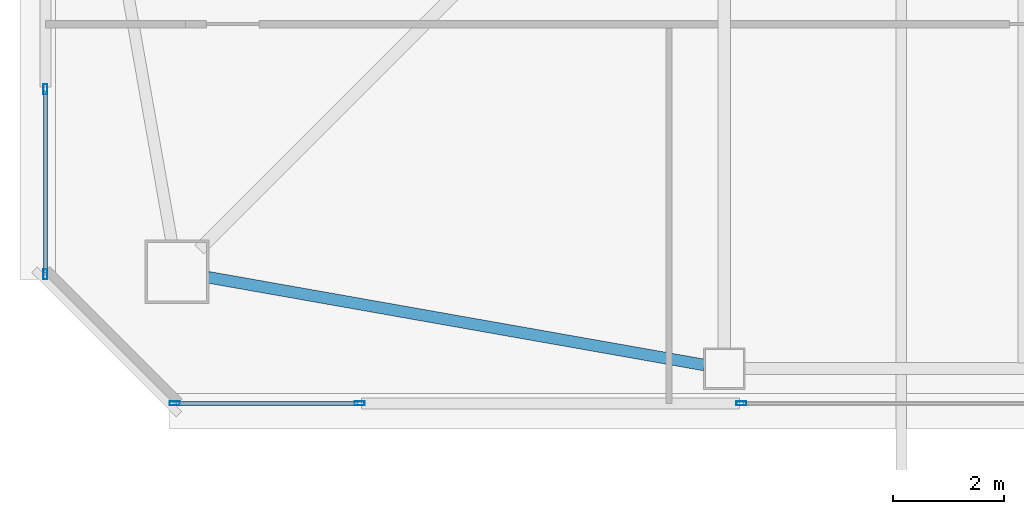
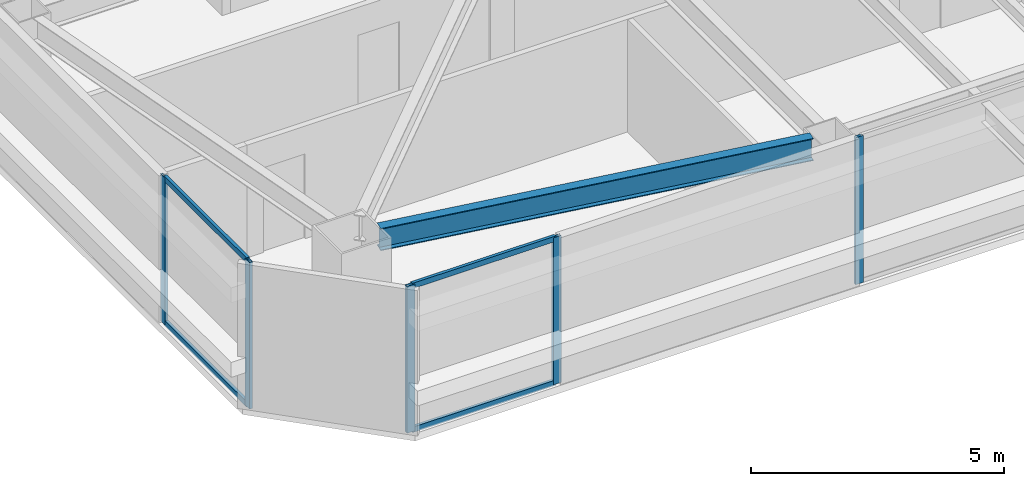
# One storey, part 3 of 41: 9 members, 1 beam, 3 elements without a shape of their own.
"""IFC4 building model written with IfcOpenShell, lengths in metres."""

import ifcopenshell
import ifcopenshell.guid

model = None  # the IFC model being written
_history = None  # IfcOwnerHistory: only IFC2X3 demands one
_inside = {}  # id of a spatial element -> (the spatial element, [elements in it])
_under = {}  # id of a project, library or spatial element -> (it, [spatial elements below it])
_declared = {}  # id of a project -> (the project, [libraries it declares])
_typed = {}  # id of a type object -> (the type object, [elements of that type])
_made_of = {}  # id of a material, layer set ... -> (it, [elements and type objects made of it])


def new_model(schema):
    """Start an empty IFC model of exactly this schema.

    Asked for "IFC4X3", IfcOpenShell would pick the latest addendum, in which some entities
    have other attributes; the version numbers below select the first issue.
    IFC2X3 requires an IfcOwnerHistory on every rooted entity: one is made here for all.
    """
    global model, _history
    if schema == "IFC4X3":
        model = ifcopenshell.file(schema_version=(4, 3, 0, 0))
    else:
        model = ifcopenshell.file(schema=schema)
    _inside.clear()
    _under.clear()
    _declared.clear()
    _typed.clear()
    _made_of.clear()
    _history = None
    if model.schema == "IFC2X3":
        org = make("IfcOrganization", Name="unknown")
        user = make(
            "IfcPersonAndOrganization",
            ThePerson=make("IfcPerson", FamilyName="unknown"),
            TheOrganization=org,
        )
        app = make(
            "IfcApplication",
            ApplicationDeveloper=org,
            Version="unknown",
            ApplicationFullName="unknown",
            ApplicationIdentifier="unknown",
        )
        _history = make(
            "IfcOwnerHistory",
            OwningUser=user,
            OwningApplication=app,
            ChangeAction="ADDED",
            CreationDate=0,
        )
    return model


def make(cls, **values):
    """One entity of the class cls with the attributes given. An attribute that is None is left unset."""
    return model.create_entity(
        cls, **{name: value for name, value in values.items() if value is not None}
    )


def rooted(cls, **values):
    """An entity with a GlobalId (a new one), such as an element, a storey or a relation."""
    return make(cls, GlobalId=ifcopenshell.guid.new(), OwnerHistory=_history, **values)


def si_unit(unit_type, name, prefix=None):
    """IfcSIUnit, for example si_unit("LENGTHUNIT", "METRE", prefix="MILLI")."""
    return make("IfcSIUnit", UnitType=unit_type, Prefix=prefix, Name=name)


def assignment(units):
    """IfcUnitAssignment: the units of a project."""
    return None if units is None else make("IfcUnitAssignment", Units=units)


def point(xyz):
    """IfcCartesianPoint."""
    return None if xyz is None else make("IfcCartesianPoint", Coordinates=xyz)


def direction(xyz):
    """IfcDirection."""
    return None if xyz is None else make("IfcDirection", DirectionRatios=xyz)


def frame(location, z_axis=None, x_axis=None):
    """IfcAxis2Placement3D, a coordinate frame: its origin and axes. An axis left out is left unset."""
    return make(
        "IfcAxis2Placement3D",
        Location=point(location),
        Axis=direction(z_axis),
        RefDirection=direction(x_axis),
    )


def frame_2d(location, x_axis=None):
    """IfcAxis2Placement2D, a coordinate frame in the plane: its origin and x axis."""
    return make(
        "IfcAxis2Placement2D", Location=point(location), RefDirection=direction(x_axis)
    )


def origin():
    """The frame at (0, 0, 0) with its axes left unset."""
    return frame((0.0, 0.0, 0.0))


def origin_2d():
    """The frame at (0, 0) in the plane with its x axis left unset."""
    return frame_2d((0.0, 0.0))


def place(relative_to, where):
    """IfcLocalPlacement: puts the frame where relative to a parent placement (None: the world)."""
    return make(
        "IfcLocalPlacement", PlacementRelTo=relative_to, RelativePlacement=where
    )


def context(
    kind, dimensions, precision=None, world=None, true_north=None, identifier=None
):
    """IfcGeometricRepresentationContext, for example the 3D "Model" context."""
    return make(
        "IfcGeometricRepresentationContext",
        ContextIdentifier=identifier,
        ContextType=kind,
        CoordinateSpaceDimension=dimensions,
        Precision=precision,
        WorldCoordinateSystem=world,
        TrueNorth=true_north,
    )


def subcontext(parent, identifier, kind, view, scale=None):
    """IfcGeometricRepresentationSubContext, for example "Body" below "Model"."""
    return make(
        "IfcGeometricRepresentationSubContext",
        ContextIdentifier=identifier,
        ContextType=kind,
        ParentContext=parent,
        TargetScale=scale,
        TargetView=view,
    )


def project(units=None, contexts=None):
    """IfcProject with its units and contexts."""
    return rooted(
        "IfcProject",
        Name="project",
        RepresentationContexts=contexts,
        UnitsInContext=assignment(units),
    )


def spatial(cls, under=None, at=None, **own):
    """A site, building, storey or space (cls), placed at a placement, below another one or the project."""
    s = rooted(cls, ObjectPlacement=at, **own)
    if under is not None:
        _under.setdefault(under.id(), (under, []))[1].append(s)
    return s


def profile(cls, at=None, kind="AREA", **sizes):
    """A parametric profile (cls). Its sizes go by their IFC names, for example OverallWidth=200.0."""
    return make(cls, ProfileType=kind, Position=at, **sizes)


def hollow_rectangle(**sizes):
    """IfcRectangleHollowProfileDef."""
    return profile("IfcRectangleHollowProfileDef", **sizes)


def i_section(**sizes):
    """IfcIShapeProfileDef."""
    return profile("IfcIShapeProfileDef", **sizes)


def extrude(swept, where, along, depth):
    """IfcExtrudedAreaSolid: the profile swept, set in the frame where, extruded along a direction by depth."""
    return make(
        "IfcExtrudedAreaSolid",
        SweptArea=swept,
        Position=where,
        ExtrudedDirection=direction(along),
        Depth=depth,
    )


def shape(context_of_items, identifier, shape_type, items):
    """IfcShapeRepresentation: the items that make up one representation, for example the "Body"."""
    return make(
        "IfcShapeRepresentation",
        ContextOfItems=context_of_items,
        RepresentationIdentifier=identifier,
        RepresentationType=shape_type,
        Items=items,
    )


def material(Name=None, Category=None):
    """IfcMaterial."""
    return make("IfcMaterial", Name=Name, Category=Category)


def material_profile(
    of_material, cross_section, Name=None, Category=None, Priority=None
):
    """IfcMaterialProfile: a cross section and its material."""
    return make(
        "IfcMaterialProfile",
        Name=Name,
        Material=of_material,
        Profile=cross_section,
        Priority=Priority,
        Category=Category,
    )


def profile_set(profiles, Name=None, composite=None):
    """IfcMaterialProfileSet."""
    return make(
        "IfcMaterialProfileSet",
        Name=Name,
        MaterialProfiles=profiles,
        CompositeProfile=composite,
    )


def made_of(thing, what):
    """Note that an element or type object is made of a material, layer set ...; save() writes the relation."""
    if what is not None:
        _made_of.setdefault(what.id(), (what, []))[1].append(thing)
    return thing


def type_object(cls, material=None, **own):
    """A type object (cls), such as IfcWallType, which elements share."""
    return made_of(rooted(cls, **own), material)


def element(
    cls,
    number,
    at=None,
    inside=None,
    cuts=None,
    type_object=None,
    material=None,
    context=None,
    identifier="Body",
    shape_type=None,
    held_by="IfcProductDefinitionShape",
    body=None,
    shapes=None,
    **own,
):
    """One element of the class cls, such as IfcWall. Its Tag is "e" and its number.

    at: its placement. inside: the storey or other place that contains it. cuts: it is an
    opening in that element (IfcRelVoidsElement). A single representation is given by context,
    identifier, shape_type and body (its items); several are given by shapes. held_by: the class
    of the entity that holds the representations. save() writes the other relations.
    """
    e = rooted(cls, Tag="e%d" % number, ObjectPlacement=at, **own)
    if body is not None:
        shapes = [shape(context, identifier, shape_type, body)]
    if shapes is not None:
        e.Representation = make(held_by, Representations=shapes)
    if inside is not None:
        _inside.setdefault(inside.id(), (inside, []))[1].append(e)
    if cuts is not None:
        rooted(
            "IfcRelVoidsElement", RelatingBuildingElement=cuts, RelatedOpeningElement=e
        )
    if type_object is not None:
        _typed.setdefault(type_object.id(), (type_object, []))[1].append(e)
    return made_of(e, material)


def aggregate(whole, parts):
    """IfcRelAggregates: a whole, such as a stair, and the parts it consists of."""
    return rooted("IfcRelAggregates", RelatingObject=whole, RelatedObjects=parts)


def save(model, path):
    """Write the relations noted so far, then the file.

    IfcRelAggregates (storeys below a building ...), IfcRelContainedInSpatialStructure (elements
    in a storey), IfcRelDefinesByType, IfcRelAssociatesMaterial and IfcRelDeclares: one each for
    every whole, place, type object, material and project.
    """
    for whole, parts in _under.values():
        aggregate(whole, parts)
    for where, things in _inside.values():
        rooted(
            "IfcRelContainedInSpatialStructure",
            RelatedElements=things,
            RelatingStructure=where,
        )
    for kind, things in _typed.values():
        rooted("IfcRelDefinesByType", RelatedObjects=things, RelatingType=kind)
    for what, things in _made_of.values():
        rooted("IfcRelAssociatesMaterial", RelatedObjects=things, RelatingMaterial=what)
    for by, libraries in _declared.values():
        rooted("IfcRelDeclares", RelatingContext=by, RelatedDefinitions=libraries)
    model.write(path)


model = new_model("IFC4")

# Units and contexts
model_context = context("Model", 3, precision=1e-05, world=origin(), true_north=direction((0.0, 1.0)))
body_context = subcontext(model_context, "Body", "Model", "MODEL_VIEW")
ifc_project = project(units=[si_unit("LENGTHUNIT", "METRE"), si_unit("AREAUNIT", "SQUARE_METRE"), si_unit("VOLUMEUNIT", "CUBIC_METRE"), si_unit("PLANEANGLEUNIT", "RADIAN"), si_unit("MASSUNIT", "GRAM", prefix="KILO")], contexts=[model_context])

# Site, building, storey
site_placement = place(None, origin())
site = spatial("IfcSite", under=ifc_project, at=site_placement, CompositionType="ELEMENT")
building_placement = place(site_placement, origin())
building = spatial("IfcBuilding", under=site, at=building_placement, Name="Tashvorn Skyway Center", CompositionType="ELEMENT")
storey_placement = place(building_placement, frame((0.0, 0.0, 174.75)))
storey = spatial("IfcBuildingStorey", under=building, at=storey_placement, Name="L47", CompositionType="ELEMENT", Elevation=174.75)

# Beam
ifc_material_1 = material(Name="Steel ASTM A992 Grade 50", Category="steel")
ifc_material_profile_1 = material_profile(ifc_material_1, i_section(OverallWidth=0.2109375, OverallDepth=0.5390625, WebThickness=0.01171875, FlangeThickness=0.018798828125, at=origin_2d()), Name="W21X73")
ifc_profile_set_1 = profile_set([ifc_material_profile_1], Name="Steel ASTM A992 Grade 50")
beam_type = type_object("IfcBeamType", Name="BM-SPANDREL-W21X73", PredefinedType="SPANDREL", material=ifc_profile_set_1)
beam_placement = place(storey_placement, frame((27.26123046875, 16.600830078125, 3.1005859375), z_axis=(0.984732545667, -0.174074160933, 0.0), x_axis=(0.174074160933, 0.984732545667, 0.0)))
element("IfcBeam", 1, at=beam_placement, inside=storey, type_object=beam_type, Name="Tower 1 L47 Spandrel Beam 01", PredefinedType="SPANDREL", context=body_context, shape_type="SweptSolid", body=[
    extrude(i_section(OverallWidth=0.2109375, OverallDepth=0.5390625, WebThickness=0.01171875, FlangeThickness=0.018798828125, at=origin_2d()), origin(), (0.0, 0.0, 1.0), 9.113525390625),
])

# Curtain wall, member
ifc_material_2 = material(Name="Thermally broken bronze-anodized aluminium 6063-T6", Category="aluminium")
curtain_wall_type = type_object("IfcCurtainWallType", Name="CW-CW-Z4", PredefinedType="NOTDEFINED", material=ifc_material_2)
curtain_wall_1_placement = place(storey_placement, origin())
curtain_wall_1 = element("IfcCurtainWall", 2, at=curtain_wall_1_placement, inside=storey, type_object=curtain_wall_type, Name="Tower 1 L47 South Unitised Curtain Wall Glazing Group 2", PredefinedType="NOTDEFINED")
ifc_material_profile_2 = material_profile(ifc_material_2, hollow_rectangle(XDim=0.070068359375, YDim=0.179931640625, WallThickness=0.00390625, at=origin_2d()), Name="ALU-MULL-70x180")
ifc_profile_set_2 = profile_set([ifc_material_profile_2], Name="Thermally broken bronze-anodized aluminium 6063-T6")
member_type_1 = type_object("IfcMemberType", Name="CWM-CW-Z4", PredefinedType="MULLION", material=ifc_profile_set_2)
member_1_placement = place(storey_placement, frame((36.908203125, 14.320068359375, 0.0), z_axis=(0.0, 0.0, 1.0), x_axis=(0.0, -1.0, 0.0)))
member_1 = element("IfcMember", 3, at=member_1_placement, type_object=member_type_1, Name="CW-Z4 mullion 2", PredefinedType="MULLION", context=body_context, shape_type="SweptSolid", body=[
    extrude(hollow_rectangle(XDim=0.070068359375, YDim=0.179931640625, WallThickness=0.00390625, at=origin_2d()), origin(), (0.0, 0.0, 1.0), 3.550048828125),
])
aggregate(curtain_wall_1, [member_1])

# Curtain wall, members
curtain_wall_2_placement = place(storey_placement, origin())
curtain_wall_2 = element("IfcCurtainWall", 4, at=curtain_wall_2_placement, inside=storey, type_object=curtain_wall_type, Name="Tower 1 L47 South Unitised Curtain Wall Glazing Group 3", PredefinedType="NOTDEFINED")
member_2_placement = place(storey_placement, frame((30.002685546875, 14.320068359375, 0.0), z_axis=(0.0, 0.0, 1.0), x_axis=(0.0, -1.0, 0.0)))
member_2 = element("IfcMember", 5, at=member_2_placement, type_object=member_type_1, Name="CW-Z4 mullion 1", PredefinedType="MULLION", context=body_context, shape_type="SweptSolid", body=[
    extrude(hollow_rectangle(XDim=0.070068359375, YDim=0.179931640625, WallThickness=0.00390625, at=origin_2d()), origin(), (0.0, 0.0, 1.0), 3.550048828125),
])
member_3_placement = place(storey_placement, frame((26.655029296875, 14.320068359375, 0.0), z_axis=(0.0, 0.0, 1.0), x_axis=(0.0, -1.0, 0.0)))
member_3 = element("IfcMember", 6, at=member_3_placement, type_object=member_type_1, Name="CW-Z4 mullion 2", PredefinedType="MULLION", context=body_context, shape_type="SweptSolid", body=[
    extrude(hollow_rectangle(XDim=0.070068359375, YDim=0.179931640625, WallThickness=0.00390625, at=origin_2d()), origin(), (0.0, 0.0, 1.0), 3.550048828125),
])

curtain_wall_3_placement = place(storey_placement, origin())
curtain_wall_3 = element("IfcCurtainWall", 7, at=curtain_wall_3_placement, inside=storey, type_object=curtain_wall_type, Name="Tower 1 L47 West Unitised Curtain Wall Glazing Group 1", PredefinedType="NOTDEFINED")
member_4_placement = place(storey_placement, frame((24.320068359375, 16.655029296875, 0.0), z_axis=(0.0, 0.0, 1.0), x_axis=(-1.0, 0.0, 0.0)))
member_4 = element("IfcMember", 8, at=member_4_placement, type_object=member_type_1, Name="CW-Z4 mullion 1", PredefinedType="MULLION", context=body_context, shape_type="SweptSolid", body=[
    extrude(hollow_rectangle(XDim=0.070068359375, YDim=0.179931640625, WallThickness=0.00390625, at=origin_2d()), origin(), (0.0, 0.0, 1.0), 3.550048828125),
])
member_5_placement = place(storey_placement, frame((24.320068359375, 20.002685546875, 0.0), z_axis=(0.0, 0.0, 1.0), x_axis=(-1.0, 0.0, 0.0)))
member_5 = element("IfcMember", 9, at=member_5_placement, type_object=member_type_1, Name="CW-Z4 mullion 2", PredefinedType="MULLION", context=body_context, shape_type="SweptSolid", body=[
    extrude(hollow_rectangle(XDim=0.070068359375, YDim=0.179931640625, WallThickness=0.00390625, at=origin_2d()), origin(), (0.0, 0.0, 1.0), 3.550048828125),
])

# Member
ifc_material_profile_3 = material_profile(ifc_material_2, hollow_rectangle(XDim=0.070068359375, YDim=0.1298828125, WallThickness=0.00390625, at=origin_2d()), Name="ALU-TRAN-70x130")
ifc_profile_set_3 = profile_set([ifc_material_profile_3], Name="Thermally broken bronze-anodized aluminium 6063-T6")
member_type_2 = type_object("IfcMemberType", Name="CWT-CW-Z4", PredefinedType="USERDEFINED", material=ifc_profile_set_3)
member_6_placement = place(storey_placement, frame((29.9677734375, 14.320068359375, 0.034912109375), z_axis=(-1.0, 0.0, 0.0), x_axis=(0.0, -1.0, 0.0)))
member_6 = element("IfcMember", 10, at=member_6_placement, type_object=member_type_2, Name="CW-Z4 transom 1.1", ObjectType="TRANSOM", PredefinedType="USERDEFINED", context=body_context, shape_type="SweptSolid", body=[
    extrude(hollow_rectangle(XDim=0.070068359375, YDim=0.1298828125, WallThickness=0.00390625, at=origin_2d()), origin(), (0.0, 0.0, 1.0), 3.27783203125),
])

member_7_placement = place(storey_placement, frame((29.9677734375, 14.320068359375, 3.514892578125), z_axis=(-1.0, 0.0, 0.0), x_axis=(0.0, -1.0, 0.0)))
member_7 = element("IfcMember", 11, at=member_7_placement, type_object=member_type_2, Name="CW-Z4 transom 1.2", ObjectType="TRANSOM", PredefinedType="USERDEFINED", context=body_context, shape_type="SweptSolid", body=[
    extrude(hollow_rectangle(XDim=0.070068359375, YDim=0.1298828125, WallThickness=0.00390625, at=origin_2d()), origin(), (0.0, 0.0, 1.0), 3.27783203125),
])

aggregate(curtain_wall_2, [member_2, member_3, member_6, member_7])

member_8_placement = place(storey_placement, frame((24.320068359375, 16.68994140625, 0.034912109375), z_axis=(0.0, 1.0, 0.0), x_axis=(-1.0, 0.0, 0.0)))
member_8 = element("IfcMember", 12, at=member_8_placement, type_object=member_type_2, Name="CW-Z4 transom 1.1", ObjectType="TRANSOM", PredefinedType="USERDEFINED", context=body_context, shape_type="SweptSolid", body=[
    extrude(hollow_rectangle(XDim=0.070068359375, YDim=0.1298828125, WallThickness=0.00390625, at=origin_2d()), origin(), (0.0, 0.0, 1.0), 3.27783203125),
])

member_9_placement = place(storey_placement, frame((24.320068359375, 16.68994140625, 3.514892578125), z_axis=(0.0, 1.0, 0.0), x_axis=(-1.0, 0.0, 0.0)))
member_9 = element("IfcMember", 13, at=member_9_placement, type_object=member_type_2, Name="CW-Z4 transom 1.2", ObjectType="TRANSOM", PredefinedType="USERDEFINED", context=body_context, shape_type="SweptSolid", body=[
    extrude(hollow_rectangle(XDim=0.070068359375, YDim=0.1298828125, WallThickness=0.00390625, at=origin_2d()), origin(), (0.0, 0.0, 1.0), 3.27783203125),
])

aggregate(curtain_wall_3, [member_4, member_5, member_8, member_9])

save(model, "model.ifc")
